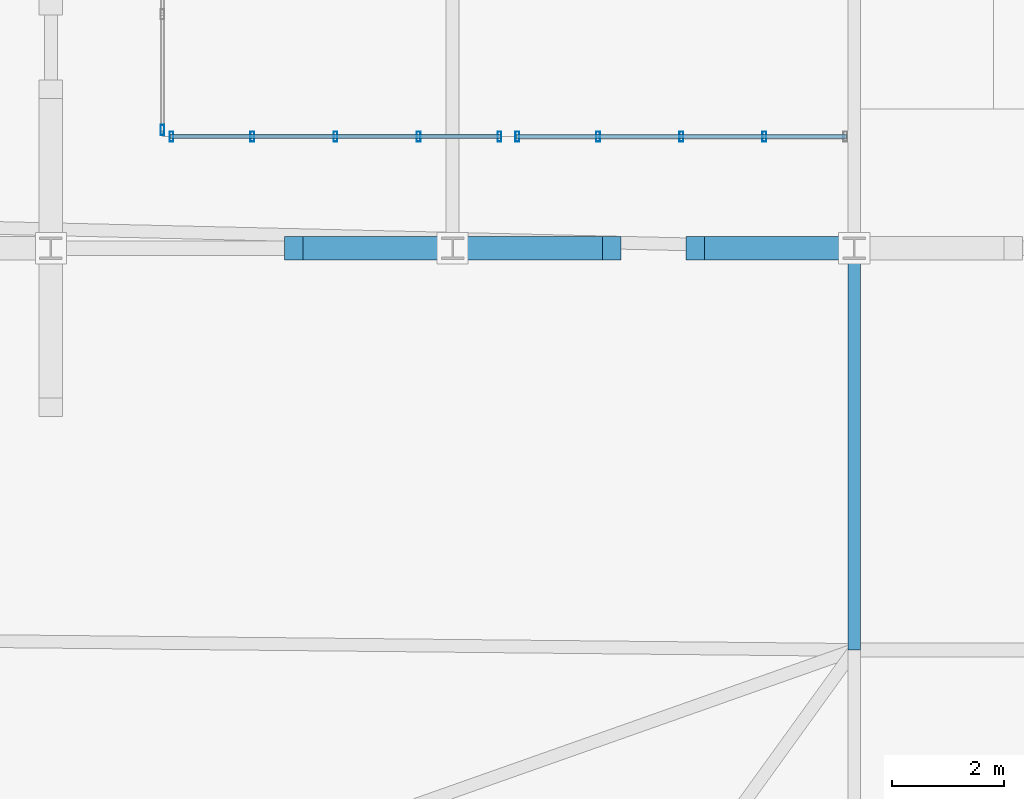
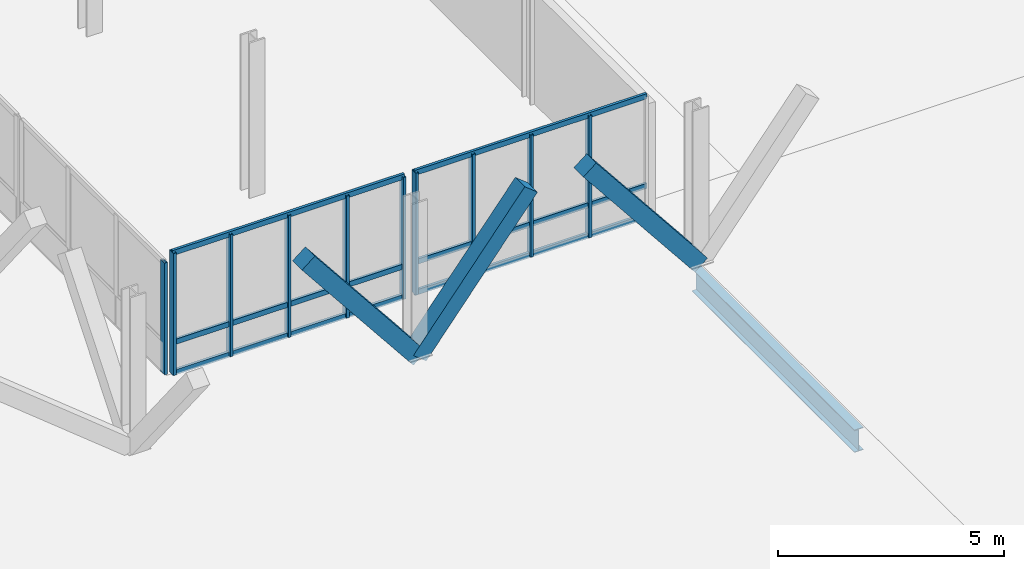
# One storey, part 9 of 102: 19 members, 1 beam, 3 elements without a shape of their own.
"""IFC4 building model written with IfcOpenShell, lengths in metres."""

from ifc_helpers import new_model, si_unit, direction, frame, origin, origin_2d, place, context, subcontext, project, spatial, rectangle, hollow_rectangle, i_section, extrude, material, material_profile, profile_set, type_object, element, aggregate, save


model = new_model("IFC4")

# Units and contexts
model_context = context("Model", 3, precision=1e-05, world=origin(), true_north=direction((0.0, 1.0)))
body_context = subcontext(model_context, "Body", "Model", "MODEL_VIEW")
ifc_project = project(units=[si_unit("LENGTHUNIT", "METRE"), si_unit("AREAUNIT", "SQUARE_METRE"), si_unit("VOLUMEUNIT", "CUBIC_METRE"), si_unit("PLANEANGLEUNIT", "RADIAN"), si_unit("MASSUNIT", "GRAM", prefix="KILO")], contexts=[model_context])

# Site, building, storey
site_placement = place(None, origin())
site = spatial("IfcSite", under=ifc_project, at=site_placement, CompositionType="ELEMENT")
building_placement = place(site_placement, origin())
building = spatial("IfcBuilding", under=site, at=building_placement, Name="Yarey Park Central Fire Station", CompositionType="ELEMENT")
storey_placement = place(building_placement, frame((0.0, 0.0, 6.0)))
storey = spatial("IfcBuildingStorey", under=building, at=storey_placement, Name="L02", CompositionType="ELEMENT", Elevation=6.0)

# Curtain wall, member
ifc_material_1 = material(Name="Anodized Aluminium Frame", Category="aluminium")
curtain_wall_type_1 = type_object("IfcCurtainWallType", Name="ENV_CW_V3_GALW", PredefinedType="NOTDEFINED", material=ifc_material_1)
curtain_wall_1_placement = place(storey_placement, origin())
curtain_wall_1 = element("IfcCurtainWall", 1, at=curtain_wall_1_placement, inside=storey, type_object=curtain_wall_type_1, Name="CW_L02_V1_W_030", PredefinedType="NOTDEFINED")
ifc_material_profile_1 = material_profile(ifc_material_1, hollow_rectangle(XDim=0.070068359375, YDim=0.179931640625, WallThickness=0.00390625, at=origin_2d()), Name="ALU 180x70x4")
ifc_profile_set_1 = profile_set([ifc_material_profile_1], Name="Anodized Aluminium Frame")
member_type_1 = type_object("IfcMemberType", Name="ENV_CW_MULLION", PredefinedType="MULLION", material=ifc_profile_set_1)
member_1_placement = place(storey_placement, frame((16.39990234375, 23.719970703125, 0.0), z_axis=(0.0, 0.0, 1.0), x_axis=(1.0, 0.0, 0.0)))
member_1 = element("IfcMember", 2, at=member_1_placement, type_object=member_type_1, Name="CW_L02_V1_W_030_MUL4", PredefinedType="MULLION", context=body_context, shape_type="SweptSolid", body=[
    extrude(hollow_rectangle(XDim=0.070068359375, YDim=0.179931640625, WallThickness=0.00390625, at=origin_2d()), origin(), (0.0, 0.0, 1.0), 3.028076171875),
])
aggregate(curtain_wall_1, [member_1])

# Curtain wall, members
curtain_wall_type_2 = type_object("IfcCurtainWallType", Name="ENV_CW_V3_GALN", PredefinedType="NOTDEFINED", material=ifc_material_1)
curtain_wall_2_placement = place(storey_placement, origin())
curtain_wall_2 = element("IfcCurtainWall", 3, at=curtain_wall_2_placement, inside=storey, type_object=curtain_wall_type_2, Name="CW_L02_V1_SW_033", PredefinedType="NOTDEFINED")
member_2_placement = place(storey_placement, frame((16.56005859375, 23.60009765625, 0.0), z_axis=(0.0, 0.0, 1.0), x_axis=(1.0, 0.0, 0.0)))
member_2 = element("IfcMember", 4, at=member_2_placement, type_object=member_type_1, Name="CW_L02_V1_SW_033_MUL1", PredefinedType="MULLION", context=body_context, shape_type="SweptSolid", body=[
    extrude(hollow_rectangle(XDim=0.070068359375, YDim=0.179931640625, WallThickness=0.00390625, at=origin_2d()), origin(), (0.0, 0.0, 1.0), 3.300048828125),
])
member_3_placement = place(storey_placement, frame((18.010009765625, 23.60009765625, 0.0), z_axis=(0.0, 0.0, 1.0), x_axis=(1.0, 0.0, 0.0)))
member_3 = element("IfcMember", 5, at=member_3_placement, type_object=member_type_1, Name="CW_L02_V1_SW_033_MUL2", PredefinedType="MULLION", context=body_context, shape_type="SweptSolid", body=[
    extrude(hollow_rectangle(XDim=0.070068359375, YDim=0.179931640625, WallThickness=0.00390625, at=origin_2d()), origin(), (0.0, 0.0, 1.0), 3.300048828125),
])
member_4_placement = place(storey_placement, frame((19.5, 23.60009765625, 0.0), z_axis=(0.0, 0.0, 1.0), x_axis=(1.0, 0.0, 0.0)))
member_4 = element("IfcMember", 6, at=member_4_placement, type_object=member_type_1, Name="CW_L02_V1_SW_033_MUL3", PredefinedType="MULLION", context=body_context, shape_type="SweptSolid", body=[
    extrude(hollow_rectangle(XDim=0.070068359375, YDim=0.179931640625, WallThickness=0.00390625, at=origin_2d()), origin(), (0.0, 0.0, 1.0), 3.300048828125),
])
member_5_placement = place(storey_placement, frame((20.989990234375, 23.60009765625, 0.0), z_axis=(0.0, 0.0, 1.0), x_axis=(1.0, 0.0, 0.0)))
member_5 = element("IfcMember", 7, at=member_5_placement, type_object=member_type_1, Name="CW_L02_V1_SW_033_MUL4", PredefinedType="MULLION", context=body_context, shape_type="SweptSolid", body=[
    extrude(hollow_rectangle(XDim=0.070068359375, YDim=0.179931640625, WallThickness=0.00390625, at=origin_2d()), origin(), (0.0, 0.0, 1.0), 3.300048828125),
])
member_6_placement = place(storey_placement, frame((22.43994140625, 23.60009765625, 0.0), z_axis=(0.0, 0.0, 1.0), x_axis=(1.0, 0.0, 0.0)))
member_6 = element("IfcMember", 8, at=member_6_placement, type_object=member_type_1, Name="CW_L02_V1_SW_033_MUL5", PredefinedType="MULLION", context=body_context, shape_type="SweptSolid", body=[
    extrude(hollow_rectangle(XDim=0.070068359375, YDim=0.179931640625, WallThickness=0.00390625, at=origin_2d()), origin(), (0.0, 0.0, 1.0), 3.300048828125),
])

curtain_wall_3_placement = place(storey_placement, origin())
curtain_wall_3 = element("IfcCurtainWall", 9, at=curtain_wall_3_placement, inside=storey, type_object=curtain_wall_type_2, Name="CW_L02_V1_SW_034", PredefinedType="NOTDEFINED")
member_7_placement = place(storey_placement, frame((22.760009765625, 23.60009765625, 0.0), z_axis=(0.0, 0.0, 1.0), x_axis=(1.0, 0.0, 0.0)))
member_7 = element("IfcMember", 10, at=member_7_placement, type_object=member_type_1, Name="CW_L02_V1_SW_034_MUL1", PredefinedType="MULLION", context=body_context, shape_type="SweptSolid", body=[
    extrude(hollow_rectangle(XDim=0.070068359375, YDim=0.179931640625, WallThickness=0.00390625, at=origin_2d()), origin(), (0.0, 0.0, 1.0), 3.300048828125),
])
member_8_placement = place(storey_placement, frame((24.2099609375, 23.60009765625, 0.0), z_axis=(0.0, 0.0, 1.0), x_axis=(1.0, 0.0, 0.0)))
member_8 = element("IfcMember", 11, at=member_8_placement, type_object=member_type_1, Name="CW_L02_V1_SW_034_MUL2", PredefinedType="MULLION", context=body_context, shape_type="SweptSolid", body=[
    extrude(hollow_rectangle(XDim=0.070068359375, YDim=0.179931640625, WallThickness=0.00390625, at=origin_2d()), origin(), (0.0, 0.0, 1.0), 3.300048828125),
])
member_9_placement = place(storey_placement, frame((25.699951171875, 23.60009765625, 0.0), z_axis=(0.0, 0.0, 1.0), x_axis=(1.0, 0.0, 0.0)))
member_9 = element("IfcMember", 12, at=member_9_placement, type_object=member_type_1, Name="CW_L02_V1_SW_034_MUL3", PredefinedType="MULLION", context=body_context, shape_type="SweptSolid", body=[
    extrude(hollow_rectangle(XDim=0.070068359375, YDim=0.179931640625, WallThickness=0.00390625, at=origin_2d()), origin(), (0.0, 0.0, 1.0), 3.300048828125),
])
member_10_placement = place(storey_placement, frame((27.18994140625, 23.60009765625, 0.0), z_axis=(0.0, 0.0, 1.0), x_axis=(1.0, 0.0, 0.0)))
member_10 = element("IfcMember", 13, at=member_10_placement, type_object=member_type_1, Name="CW_L02_V1_SW_034_MUL4", PredefinedType="MULLION", context=body_context, shape_type="SweptSolid", body=[
    extrude(hollow_rectangle(XDim=0.070068359375, YDim=0.179931640625, WallThickness=0.00390625, at=origin_2d()), origin(), (0.0, 0.0, 1.0), 3.300048828125),
])

# Member
ifc_material_profile_2 = material_profile(ifc_material_1, hollow_rectangle(XDim=0.070068359375, YDim=0.139892578125, WallThickness=0.00390625, at=origin_2d()), Name="ALU 140x70x4")
ifc_profile_set_2 = profile_set([ifc_material_profile_2], Name="Anodized Aluminium Frame")
member_type_2 = type_object("IfcMemberType", Name="ENV_CW_TRANSOM", PredefinedType="USERDEFINED", material=ifc_profile_set_2)
member_11_placement = place(storey_placement, frame((16.534912109375, 23.60009765625, 0.02490234375), z_axis=(1.0, 0.0, 0.0), x_axis=(0.0, 1.0, 0.0)))
member_11 = element("IfcMember", 14, at=member_11_placement, type_object=member_type_2, Name="CW_L02_V1_SW_033_TRN1", ObjectType="TRANSOM", PredefinedType="USERDEFINED", context=body_context, shape_type="SweptSolid", body=[
    extrude(hollow_rectangle(XDim=0.070068359375, YDim=0.139892578125, WallThickness=0.00390625, at=origin_2d()), origin(), (0.0, 0.0, 1.0), 5.93017578125),
])

member_12_placement = place(storey_placement, frame((16.534912109375, 23.60009765625, 0.85009765625), z_axis=(1.0, 0.0, 0.0), x_axis=(0.0, 1.0, 0.0)))
member_12 = element("IfcMember", 15, at=member_12_placement, type_object=member_type_2, Name="CW_L02_V1_SW_033_TRN2", ObjectType="TRANSOM", PredefinedType="USERDEFINED", context=body_context, shape_type="SweptSolid", body=[
    extrude(hollow_rectangle(XDim=0.070068359375, YDim=0.139892578125, WallThickness=0.00390625, at=origin_2d()), origin(), (0.0, 0.0, 1.0), 5.93017578125),
])

member_13_placement = place(storey_placement, frame((16.534912109375, 23.60009765625, 3.27490234375), z_axis=(1.0, 0.0, 0.0), x_axis=(0.0, 1.0, 0.0)))
member_13 = element("IfcMember", 16, at=member_13_placement, type_object=member_type_2, Name="CW_L02_V1_SW_033_TRN3", ObjectType="TRANSOM", PredefinedType="USERDEFINED", context=body_context, shape_type="SweptSolid", body=[
    extrude(hollow_rectangle(XDim=0.070068359375, YDim=0.139892578125, WallThickness=0.00390625, at=origin_2d()), origin(), (0.0, 0.0, 1.0), 5.93017578125),
])

aggregate(curtain_wall_2, [member_2, member_3, member_4, member_5, member_6, member_11, member_12, member_13])

member_14_placement = place(storey_placement, frame((22.735107421875, 23.60009765625, 0.02490234375), z_axis=(1.0, 0.0, 0.0), x_axis=(0.0, 1.0, 0.0)))
member_14 = element("IfcMember", 17, at=member_14_placement, type_object=member_type_2, Name="CW_L02_V1_SW_034_TRN1", ObjectType="TRANSOM", PredefinedType="USERDEFINED", context=body_context, shape_type="SweptSolid", body=[
    extrude(hollow_rectangle(XDim=0.070068359375, YDim=0.139892578125, WallThickness=0.00390625, at=origin_2d()), origin(), (0.0, 0.0, 1.0), 5.929931640625),
])

member_15_placement = place(storey_placement, frame((22.735107421875, 23.60009765625, 0.85009765625), z_axis=(1.0, 0.0, 0.0), x_axis=(0.0, 1.0, 0.0)))
member_15 = element("IfcMember", 18, at=member_15_placement, type_object=member_type_2, Name="CW_L02_V1_SW_034_TRN2", ObjectType="TRANSOM", PredefinedType="USERDEFINED", context=body_context, shape_type="SweptSolid", body=[
    extrude(hollow_rectangle(XDim=0.070068359375, YDim=0.139892578125, WallThickness=0.00390625, at=origin_2d()), origin(), (0.0, 0.0, 1.0), 5.929931640625),
])

member_16_placement = place(storey_placement, frame((22.735107421875, 23.60009765625, 3.27490234375), z_axis=(1.0, 0.0, 0.0), x_axis=(0.0, 1.0, 0.0)))
member_16 = element("IfcMember", 19, at=member_16_placement, type_object=member_type_2, Name="CW_L02_V1_SW_034_TRN3", ObjectType="TRANSOM", PredefinedType="USERDEFINED", context=body_context, shape_type="SweptSolid", body=[
    extrude(hollow_rectangle(XDim=0.070068359375, YDim=0.139892578125, WallThickness=0.00390625, at=origin_2d()), origin(), (0.0, 0.0, 1.0), 5.929931640625),
])

aggregate(curtain_wall_3, [member_7, member_8, member_9, member_10, member_14, member_15, member_16])

# Beam
ifc_material_2 = material(Name="Steel ASTM A992 Gr. 50", Category="steel")
ifc_material_profile_3 = material_profile(ifc_material_2, i_section(OverallWidth=0.22900390625, OverallDepth=0.612060546875, WebThickness=0.011962890625, FlangeThickness=0.01953125, at=origin_2d()), Name="W610x125")
ifc_profile_set_3 = profile_set([ifc_material_profile_3], Name="Steel ASTM A992 Gr. 50")
beam_type = type_object("IfcBeamType", Name="STR_BM_W610", PredefinedType="BEAM", material=ifc_profile_set_3)
beam_placement = place(storey_placement, frame((28.800048828125, 14.39990234375, -0.510986328125), z_axis=(0.0, 1.0, 0.0), x_axis=(-1.0, 0.0, 0.0)))
element("IfcBeam", 20, at=beam_placement, inside=storey, type_object=beam_type, Name="BMY L02 X288 Y144", PredefinedType="BEAM", context=body_context, shape_type="SweptSolid", body=[
    extrude(i_section(OverallWidth=0.22900390625, OverallDepth=0.612060546875, WebThickness=0.011962890625, FlangeThickness=0.01953125, at=origin_2d()), origin(), (0.0, 0.0, 1.0), 7.2001953125),
])

# Members
ifc_material_3 = material(Name="Glulam GL28h", Category="wood")
ifc_material_profile_4 = material_profile(ifc_material_3, rectangle(XDim=0.419921875, YDim=0.419921875, at=origin_2d()), Name="GL 420x420")
ifc_profile_set_4 = profile_set([ifc_material_profile_4], Name="Glulam GL28h")
member_type_3 = type_object("IfcMemberType", Name="STR_STRUT_GL420", PredefinedType="STRUT", material=ifc_profile_set_4)
for number, where, z_axis, x_axis, name in (
    (21, (21.60009765625, 21.60009765625, -0.02001953125), (0.623866946252, 0.0, 0.781530570979), (0.0, 1.0, 0.0), "Raked Glulam Strut RGS-59"),
    (22, (21.60009765625, 21.60009765625, -0.02001953125), (-0.623899588473, 0.0, 0.781504512785), (0.0, -1.0, 0.0), "Raked Glulam Strut RGS-60"),
    (23, (28.800048828125, 21.60009765625, -0.02001953125), (-0.623899588473, 0.0, 0.781504512785), (0.0, -1.0, 0.0), "Raked Glulam Strut RGS-62"),
):
    element("IfcMember", number, at=place(storey_placement, frame(where, z_axis=z_axis, x_axis=x_axis)), inside=storey, type_object=member_type_3, Name=name, PredefinedType="STRUT", context=body_context, shape_type="SweptSolid", body=[
        extrude(rectangle(XDim=0.419921875, YDim=0.419921875, at=origin_2d()), origin(), (0.0, 0.0, 1.0), 4.568115234375),
    ])

save(model, "model.ifc")
